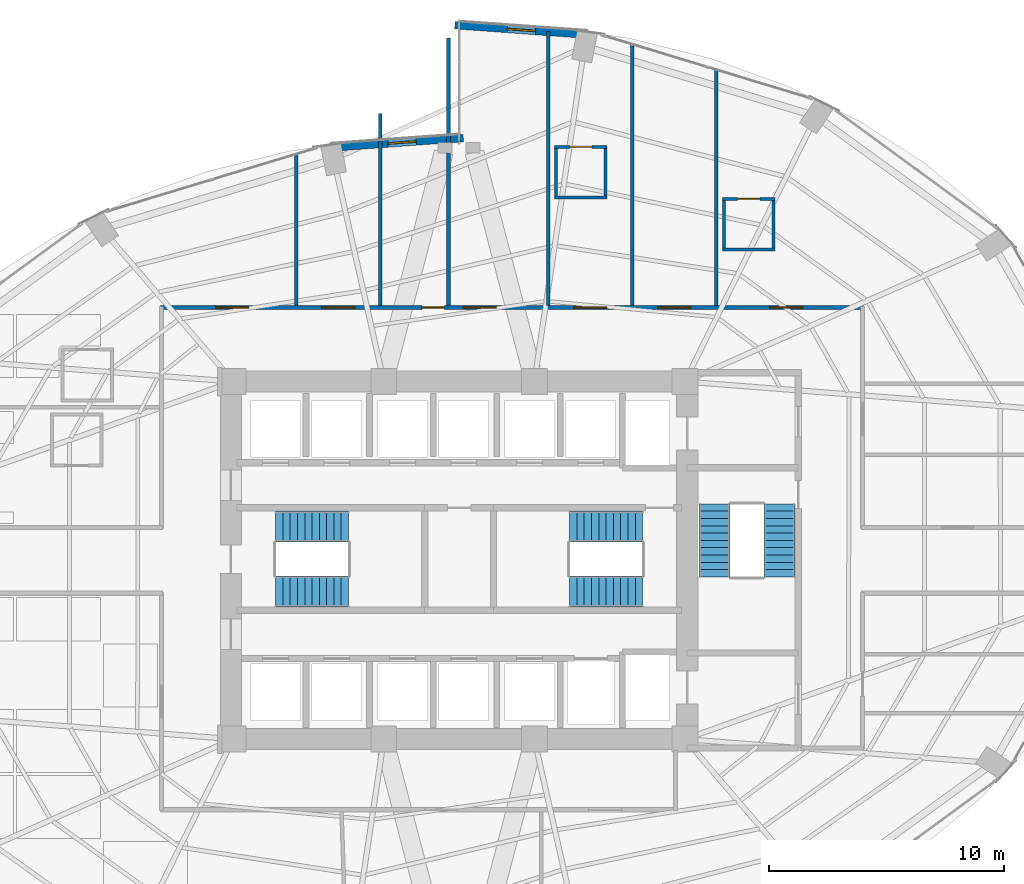
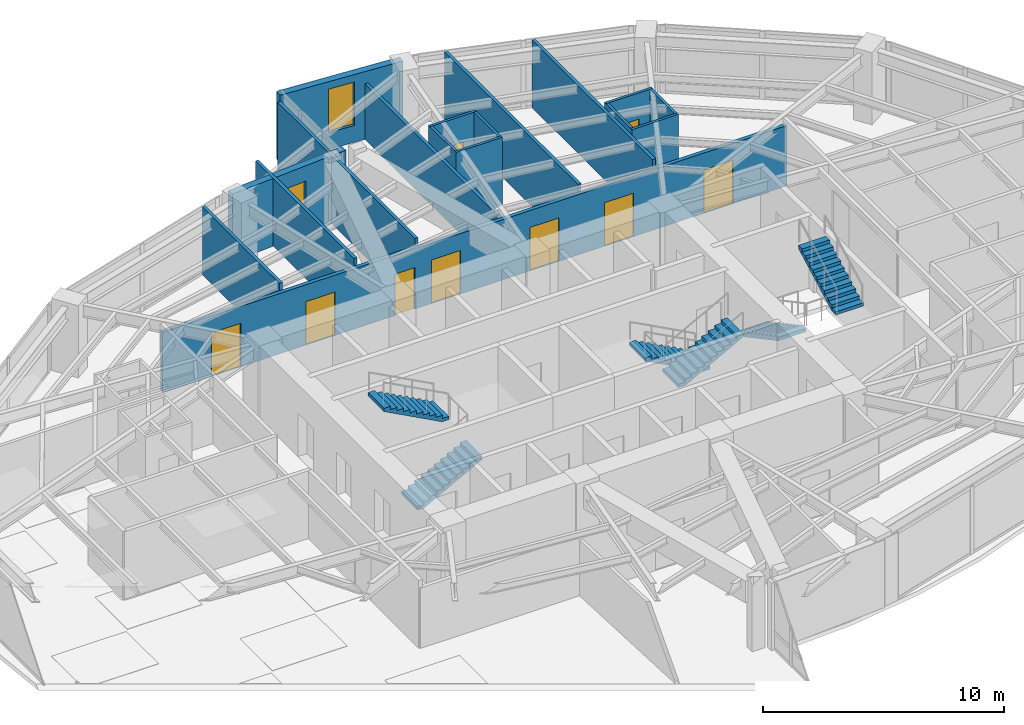
# One storey, part 23 of 25: 17 walls, 9 doors, 6 stair flights, 2 windows, 11 openings, 3 elements without a shape of their own.
"""IFC4 building model written with IfcOpenShell, lengths in metres."""

from ifc_helpers import new_model, si_unit, direction, frame, frame_2d, origin, place, context, subcontext, project, spatial, polyline, rectangle, outline, extrude, material, layer, layer_set, type_object, element, fill, aggregate, save


model = new_model("IFC4")

# Units and contexts
model_context = context("Model", 3, precision=1e-05, world=origin(), true_north=direction((0.0, 1.0)))
body_context = subcontext(model_context, "Body", "Model", "MODEL_VIEW")
ifc_project = project(units=[si_unit("LENGTHUNIT", "METRE"), si_unit("AREAUNIT", "SQUARE_METRE"), si_unit("VOLUMEUNIT", "CUBIC_METRE"), si_unit("PLANEANGLEUNIT", "RADIAN"), si_unit("MASSUNIT", "GRAM", prefix="KILO")], contexts=[model_context])

# Site, building, storey
site_placement = place(None, origin())
site = spatial("IfcSite", under=ifc_project, at=site_placement, CompositionType="ELEMENT")
building_placement = place(site_placement, origin())
building = spatial("IfcBuilding", under=site, at=building_placement, Name="Lazwardi Medical Tower", CompositionType="ELEMENT")
storey_placement = place(building_placement, frame((0.0, 0.0, 47.087890625)))
storey = spatial("IfcBuildingStorey", under=building, at=storey_placement, Name="L11", CompositionType="ELEMENT", Elevation=47.087890625)

# Wall, openings, doors
ifc_material_1 = material(Name="Fire-rated gypsum board on steel stud", Category="steel")
ifc_layer_1 = layer(ifc_material_1, 0.179931640625)
ifc_layer_set_1 = layer_set([ifc_layer_1], Name="Fire-rated gypsum board on steel stud")
wall_type_1 = type_object("IfcWallType", Name="WL-COR-180", PredefinedType="PARTITIONING", material=ifc_layer_set_1)
wall_1_placement = place(storey_placement, frame((23.31005859375, 38.75, 0.0), z_axis=(0.0, 0.0, 1.0), x_axis=(1.0, 0.0, 0.0)))
wall_1 = element("IfcWall", 1, at=wall_1_placement, inside=storey, type_object=wall_type_1, Name="L11 Corridor partition 4", PredefinedType="PARTITIONING", context=body_context, shape_type="SweptSolid", body=[
    extrude(rectangle(XDim=29.8798828125, YDim=0.179931640625, at=frame_2d((14.93994140625, 0.0))), origin(), (0.0, 0.0, 1.0), 3.05322265625),
])
opening_1_placement = place(wall_1_placement, frame((25.89111328125, 0.0, 0.0)))
opening_1 = element("IfcOpeningElement", 2, at=opening_1_placement, cuts=wall_1, Name="Opening D-L11-016", PredefinedType="OPENING", context=body_context, shape_type="SweptSolid", body=[
    extrude(rectangle(XDim=1.39990234375, YDim=2.199951171875, at=frame_2d((0.699951171875, 1.10009765625))), frame((0.0, 0.099853515625, 0.0), z_axis=(0.0, -1.0, 0.0), x_axis=(1.0, 0.0, 0.0)), (0.0, 0.0, 1.0), 0.199951171875),
])
opening_2_placement = place(wall_1_placement, frame((21.135009765625, 0.0, 0.0)))
opening_2 = element("IfcOpeningElement", 3, at=opening_2_placement, cuts=wall_1, Name="Opening D-L11-017", PredefinedType="OPENING", context=body_context, shape_type="SweptSolid", body=[
    extrude(rectangle(XDim=1.39990234375, YDim=2.199951171875, at=frame_2d((0.699951171875, 1.10009765625))), frame((0.0, 0.099853515625, 0.0), z_axis=(0.0, -1.0, 0.0), x_axis=(1.0, 0.0, 0.0)), (0.0, 0.0, 1.0), 0.199951171875),
])
opening_3_placement = place(wall_1_placement, frame((17.56494140625, 0.0, 0.0)))
opening_3 = element("IfcOpeningElement", 4, at=opening_3_placement, cuts=wall_1, Name="Opening D-L11-018", PredefinedType="OPENING", context=body_context, shape_type="SweptSolid", body=[
    extrude(rectangle(XDim=1.39990234375, YDim=2.199951171875, at=frame_2d((0.699951171875, 1.10009765625))), frame((0.0, 0.099853515625, 0.0), z_axis=(0.0, -1.0, 0.0), x_axis=(1.0, 0.0, 0.0)), (0.0, 0.0, 1.0), 0.199951171875),
])
opening_4_placement = place(wall_1_placement, frame((12.860107421875, 0.0, 0.0)))
opening_4 = element("IfcOpeningElement", 5, at=opening_4_placement, cuts=wall_1, Name="Opening D-L11-019", PredefinedType="OPENING", context=body_context, shape_type="SweptSolid", body=[
    extrude(rectangle(XDim=1.39990234375, YDim=2.199951171875, at=frame_2d((0.699951171875, 1.10009765625))), frame((0.0, 0.099853515625, 0.0), z_axis=(0.0, -1.0, 0.0), x_axis=(1.0, 0.0, 0.0)), (0.0, 0.0, 1.0), 0.199951171875),
])
opening_5_placement = place(wall_1_placement, frame((11.110107421875, 0.0, 0.0)))
opening_5 = element("IfcOpeningElement", 6, at=opening_5_placement, cuts=wall_1, Name="Opening D-L11-020", PredefinedType="OPENING", context=body_context, shape_type="SweptSolid", body=[
    extrude(rectangle(XDim=0.949951171875, YDim=2.10009765625, at=frame_2d((0.47509765625, 1.050048828125))), frame((0.0, 0.099853515625, 0.0), z_axis=(0.0, -1.0, 0.0), x_axis=(1.0, 0.0, 0.0)), (0.0, 0.0, 1.0), 0.199951171875),
])
opening_6_placement = place(wall_1_placement, frame((6.844970703125, 0.0, 0.0)))
opening_6 = element("IfcOpeningElement", 7, at=opening_6_placement, cuts=wall_1, Name="Opening D-L11-021", PredefinedType="OPENING", context=body_context, shape_type="SweptSolid", body=[
    extrude(rectangle(XDim=1.39990234375, YDim=2.199951171875, at=frame_2d((0.699951171875, 1.10009765625))), frame((0.0, 0.099853515625, 0.0), z_axis=(0.0, -1.0, 0.0), x_axis=(1.0, 0.0, 0.0)), (0.0, 0.0, 1.0), 0.199951171875),
])
opening_7_placement = place(wall_1_placement, frame((2.339111328125, 0.0, 0.0)))
opening_7 = element("IfcOpeningElement", 8, at=opening_7_placement, cuts=wall_1, Name="Opening D-L11-022", PredefinedType="OPENING", context=body_context, shape_type="SweptSolid", body=[
    extrude(rectangle(XDim=1.39990234375, YDim=2.199951171875, at=frame_2d((0.699951171875, 1.10009765625))), frame((0.0, 0.099853515625, 0.0), z_axis=(0.0, -1.0, 0.0), x_axis=(1.0, 0.0, 0.0)), (0.0, 0.0, 1.0), 0.199951171875),
])
ifc_material_2 = material(Name="Anti-microbial laminate hospital leaf")
door_type_1 = type_object("IfcDoorType", Name="DR-BED-1400", OperationType="NOTDEFINED", PredefinedType="DOOR", material=ifc_material_2)
door_1_placement = place(opening_1_placement, origin())
door_1 = element("IfcDoor", 9, at=door_1_placement, inside=storey, type_object=door_type_1, Name="L11 Inpatient Ward Door 07", OperationType="SINGLE_SWING_LEFT", OverallHeight=2.199951171875, OverallWidth=1.39990234375, PredefinedType="DOOR", context=body_context, shape_type="SweptSolid", body=[
    extrude(rectangle(XDim=1.39990234375, YDim=2.199951171875, at=frame_2d((0.699951171875, 1.10009765625))), frame((0.0, 0.02490234375, 0.0), z_axis=(0.0, -1.0, 0.0), x_axis=(1.0, 0.0, 0.0)), (0.0, 0.0, 1.0), 0.050048828125),
])
fill(opening_1, door_1)
door_2_placement = place(opening_2_placement, origin())
door_2 = element("IfcDoor", 10, at=door_2_placement, inside=storey, type_object=door_type_1, Name="L11 Inpatient Ward Door 08", OperationType="SINGLE_SWING_RIGHT", OverallHeight=2.199951171875, OverallWidth=1.39990234375, PredefinedType="DOOR", context=body_context, shape_type="SweptSolid", body=[
    extrude(rectangle(XDim=1.39990234375, YDim=2.199951171875, at=frame_2d((0.699951171875, 1.10009765625))), frame((0.0, 0.02490234375, 0.0), z_axis=(0.0, -1.0, 0.0), x_axis=(1.0, 0.0, 0.0)), (0.0, 0.0, 1.0), 0.050048828125),
])
fill(opening_2, door_2)
door_3_placement = place(opening_3_placement, origin())
door_3 = element("IfcDoor", 11, at=door_3_placement, inside=storey, type_object=door_type_1, Name="L11 Inpatient Ward Door 09", OperationType="SINGLE_SWING_RIGHT", OverallHeight=2.199951171875, OverallWidth=1.39990234375, PredefinedType="DOOR", context=body_context, shape_type="SweptSolid", body=[
    extrude(rectangle(XDim=1.39990234375, YDim=2.199951171875, at=frame_2d((0.699951171875, 1.10009765625))), frame((0.0, 0.02490234375, 0.0), z_axis=(0.0, -1.0, 0.0), x_axis=(1.0, 0.0, 0.0)), (0.0, 0.0, 1.0), 0.050048828125),
])
fill(opening_3, door_3)
door_4_placement = place(opening_4_placement, origin())
door_4 = element("IfcDoor", 12, at=door_4_placement, inside=storey, type_object=door_type_1, Name="L11 Inpatient Ward Door 10", OperationType="SINGLE_SWING_LEFT", OverallHeight=2.199951171875, OverallWidth=1.39990234375, PredefinedType="DOOR", context=body_context, shape_type="SweptSolid", body=[
    extrude(rectangle(XDim=1.39990234375, YDim=2.199951171875, at=frame_2d((0.699951171875, 1.10009765625))), frame((0.0, 0.02490234375, 0.0), z_axis=(0.0, -1.0, 0.0), x_axis=(1.0, 0.0, 0.0)), (0.0, 0.0, 1.0), 0.050048828125),
])
fill(opening_4, door_4)
door_5_placement = place(opening_6_placement, origin())
door_5 = element("IfcDoor", 13, at=door_5_placement, inside=storey, type_object=door_type_1, Name="L11 Inpatient Ward Door 12", OperationType="SINGLE_SWING_LEFT", OverallHeight=2.199951171875, OverallWidth=1.39990234375, PredefinedType="DOOR", context=body_context, shape_type="SweptSolid", body=[
    extrude(rectangle(XDim=1.39990234375, YDim=2.199951171875, at=frame_2d((0.699951171875, 1.10009765625))), frame((0.0, 0.02490234375, 0.0), z_axis=(0.0, -1.0, 0.0), x_axis=(1.0, 0.0, 0.0)), (0.0, 0.0, 1.0), 0.050048828125),
])
fill(opening_6, door_5)
door_6_placement = place(opening_7_placement, origin())
door_6 = element("IfcDoor", 14, at=door_6_placement, inside=storey, type_object=door_type_1, Name="L11 Inpatient Ward Door 13", OperationType="SINGLE_SWING_LEFT", OverallHeight=2.199951171875, OverallWidth=1.39990234375, PredefinedType="DOOR", context=body_context, shape_type="SweptSolid", body=[
    extrude(rectangle(XDim=1.39990234375, YDim=2.199951171875, at=frame_2d((0.699951171875, 1.10009765625))), frame((0.0, 0.02490234375, 0.0), z_axis=(0.0, -1.0, 0.0), x_axis=(1.0, 0.0, 0.0)), (0.0, 0.0, 1.0), 0.050048828125),
])
fill(opening_7, door_6)
ifc_material_3 = material(Name="Moisture-resistant laminate door leaf")
door_type_2 = type_object("IfcDoorType", Name="DR-ENS-950", OperationType="NOTDEFINED", PredefinedType="DOOR", material=ifc_material_3)
door_7_placement = place(opening_5_placement, origin())
door_7 = element("IfcDoor", 15, at=door_7_placement, inside=storey, type_object=door_type_2, Name="L11 Inpatient Ward Door 11", OperationType="SINGLE_SWING_RIGHT", OverallHeight=2.10009765625, OverallWidth=0.949951171875, PredefinedType="DOOR", context=body_context, shape_type="SweptSolid", body=[
    extrude(rectangle(XDim=0.949951171875, YDim=2.10009765625, at=frame_2d((0.47509765625, 1.050048828125))), frame((0.0, 0.02490234375, 0.0), z_axis=(0.0, -1.0, 0.0), x_axis=(1.0, 0.0, 0.0)), (0.0, 0.0, 1.0), 0.050048828125),
])
fill(opening_5, door_7)

# Wall, opening, door
ifc_material_4 = material(Name="Moisture-resistant gypsum board partition")
ifc_layer_2 = layer(ifc_material_4, 0.125)
ifc_layer_set_2 = layer_set([ifc_layer_2], Name="Moisture-resistant gypsum board partition")
wall_type_2 = type_object("IfcWallType", Name="WL-ENS-125", PredefinedType="PARTITIONING", material=ifc_layer_set_2)
wall_2_placement = place(storey_placement, frame((47.205078125, 43.369140625, 0.0), z_axis=(0.0, 0.0, 1.0), x_axis=(1.0, 0.0, 0.0)))
wall_2 = element("IfcWall", 16, at=wall_2_placement, inside=storey, type_object=wall_type_2, Name="L11 En-suite wall 7N", PredefinedType="PARTITIONING", context=body_context, shape_type="SweptSolid", body=[
    extrude(rectangle(XDim=2.219970703125, YDim=0.125, at=frame_2d((1.10986328125, 0.0))), origin(), (0.0, 0.0, 1.0), 3.42822265625),
])
opening_8_placement = place(wall_2_placement, frame((0.635009765625, 0.0, 0.0)))
opening_8 = element("IfcOpeningElement", 17, at=opening_8_placement, cuts=wall_2, Name="Opening D-L11-003", PredefinedType="OPENING", context=body_context, shape_type="SweptSolid", body=[
    extrude(rectangle(XDim=0.949951171875, YDim=2.10009765625, at=frame_2d((0.47509765625, 1.050048828125))), frame((0.0, 0.072509765625, 0.0), z_axis=(0.0, -1.0, 0.0), x_axis=(1.0, 0.0, 0.0)), (0.0, 0.0, 1.0), 0.14501953125),
])
door_8_placement = place(opening_8_placement, origin())
door_8 = element("IfcDoor", 18, at=door_8_placement, inside=storey, type_object=door_type_2, Name="L11 En-suite Door 07", OperationType="SINGLE_SWING_RIGHT", OverallHeight=2.10009765625, OverallWidth=0.949951171875, PredefinedType="DOOR", context=body_context, shape_type="SweptSolid", body=[
    extrude(rectangle(XDim=0.949951171875, YDim=2.10009765625, at=frame_2d((0.47509765625, 1.050048828125))), frame((0.0, 0.02490234375, 0.0), z_axis=(0.0, -1.0, 0.0), x_axis=(1.0, 0.0, 0.0)), (0.0, 0.0, 1.0), 0.050048828125),
])
fill(opening_8, door_8)

# Walls
wall_3_placement = place(storey_placement, frame((47.205078125, 41.208984375, 0.0), z_axis=(0.0, 0.0, 1.0), x_axis=(1.0, 0.0, 0.0)))
element("IfcWall", 19, at=wall_3_placement, inside=storey, type_object=wall_type_2, Name="L11 En-suite wall 7S", PredefinedType="PARTITIONING", context=body_context, shape_type="SweptSolid", body=[
    extrude(rectangle(XDim=2.219970703125, YDim=0.125, at=frame_2d((1.10986328125, 0.0))), origin(), (0.0, 0.0, 1.0), 3.42822265625),
])
for number, where, z_axis, x_axis, name in (
    (20, (49.364990234375, 41.149169921875, 0.0), (0.0, 0.0, 1.0), (0.0, 1.0, 0.0), "L11 En-suite wall 7E"),
    (21, (47.264892578125, 41.149169921875, 0.0), (0.0, 0.0, 1.0), (0.0, 1.0, 0.0), "L11 En-suite wall 7W"),
):
    element("IfcWall", number, at=place(storey_placement, frame(where, z_axis=z_axis, x_axis=x_axis)), inside=storey, type_object=wall_type_2, Name=name, PredefinedType="PARTITIONING", context=body_context, shape_type="SweptSolid", body=[
        extrude(rectangle(XDim=2.280029296875, YDim=0.125, at=frame_2d((1.14013671875, 0.0))), origin(), (0.0, 0.0, 1.0), 3.42822265625),
    ])

# Wall, opening, door
wall_4_placement = place(storey_placement, frame((40.06494140625, 45.5810546875, 0.0), z_axis=(0.0, 0.0, 1.0), x_axis=(1.0, 0.0, 0.0)))
wall_4 = element("IfcWall", 22, at=wall_4_placement, inside=storey, type_object=wall_type_2, Name="L11 En-suite wall 9N", PredefinedType="PARTITIONING", context=body_context, shape_type="SweptSolid", body=[
    extrude(rectangle(XDim=2.219970703125, YDim=0.125, at=frame_2d((1.10986328125, 0.0))), origin(), (0.0, 0.0, 1.0), 3.42822265625),
])
opening_9_placement = place(wall_4_placement, frame((0.635009765625, 0.0, 0.0)))
opening_9 = element("IfcOpeningElement", 23, at=opening_9_placement, cuts=wall_4, Name="Opening D-L11-004", PredefinedType="OPENING", context=body_context, shape_type="SweptSolid", body=[
    extrude(rectangle(XDim=0.949951171875, YDim=2.10009765625, at=frame_2d((0.47509765625, 1.050048828125))), frame((0.0, 0.072509765625, 0.0), z_axis=(0.0, -1.0, 0.0), x_axis=(1.0, 0.0, 0.0)), (0.0, 0.0, 1.0), 0.14501953125),
])
door_9_placement = place(opening_9_placement, origin())
door_9 = element("IfcDoor", 24, at=door_9_placement, inside=storey, type_object=door_type_2, Name="L11 En-suite Door 09", OperationType="SINGLE_SWING_LEFT", OverallHeight=2.10009765625, OverallWidth=0.949951171875, PredefinedType="DOOR", context=body_context, shape_type="SweptSolid", body=[
    extrude(rectangle(XDim=0.949951171875, YDim=2.10009765625, at=frame_2d((0.47509765625, 1.050048828125))), frame((0.0, 0.02490234375, 0.0), z_axis=(0.0, -1.0, 0.0), x_axis=(1.0, 0.0, 0.0)), (0.0, 0.0, 1.0), 0.050048828125),
])
fill(opening_9, door_9)

# Walls
wall_5_placement = place(storey_placement, frame((40.06494140625, 43.4208984375, 0.0), z_axis=(0.0, 0.0, 1.0), x_axis=(1.0, 0.0, 0.0)))
element("IfcWall", 25, at=wall_5_placement, inside=storey, type_object=wall_type_2, Name="L11 En-suite wall 9S", PredefinedType="PARTITIONING", context=body_context, shape_type="SweptSolid", body=[
    extrude(rectangle(XDim=2.219970703125, YDim=0.125, at=frame_2d((1.10986328125, 0.0))), origin(), (0.0, 0.0, 1.0), 3.42822265625),
])
for number, where, z_axis, x_axis, name in (
    (26, (42.22509765625, 43.361083984375, 0.0), (0.0, 0.0, 1.0), (0.0, 1.0, 0.0), "L11 En-suite wall 9E"),
    (27, (40.125, 43.361083984375, 0.0), (0.0, 0.0, 1.0), (0.0, 1.0, 0.0), "L11 En-suite wall 9W"),
):
    element("IfcWall", number, at=place(storey_placement, frame(where, z_axis=z_axis, x_axis=x_axis)), inside=storey, type_object=wall_type_2, Name=name, PredefinedType="PARTITIONING", context=body_context, shape_type="SweptSolid", body=[
        extrude(rectangle(XDim=2.280029296875, YDim=0.125, at=frame_2d((1.14013671875, 0.0))), origin(), (0.0, 0.0, 1.0), 3.42822265625),
    ])

# Wall, opening, window
ifc_material_5 = material(Name="Precast concrete C45/55", Category="concrete")
ifc_layer_3 = layer(ifc_material_5, 0.320068359375)
ifc_layer_set_3 = layer_set([ifc_layer_3], Name="Precast concrete C45/55")
wall_type_3 = type_object("IfcWallType", Name="WL-IWAN-320", PredefinedType="SOLIDWALL", material=ifc_layer_set_3)
wall_6_placement = place(storey_placement, frame((41.481201171875, 50.345703125, 0.0), z_axis=(0.0, 0.0, 1.0), x_axis=(-0.997422321809, 0.071754525696, 0.0)))
wall_6 = element("IfcWall", 28, at=wall_6_placement, inside=storey, type_object=wall_type_3, Name="L11 Iwan Portal Return Wall NE_ret", PredefinedType="SOLIDWALL", context=body_context, shape_type="SweptSolid", body=[
    extrude(rectangle(XDim=5.67529296875, YDim=0.320068359375, at=frame_2d((2.837646484375, 0.0))), origin(), (0.0, 0.0, 1.0), 3.42822265625),
])
opening_10_placement = place(wall_6_placement, frame((2.23779296875, 0.0, 0.85009765625)))
opening_10 = element("IfcOpeningElement", 29, at=opening_10_placement, cuts=wall_6, Name="Opening WN-01", PredefinedType="OPENING", context=body_context, shape_type="SweptSolid", body=[
    extrude(rectangle(XDim=1.199951171875, YDim=2.199951171875, at=frame_2d((0.60009765625, 1.10009765625))), frame((0.0, 0.169921875, 0.0), z_axis=(0.0, -1.0, 0.0), x_axis=(1.0, 0.0, 0.0)), (0.0, 0.0, 1.0), 0.340087890625),
])
ifc_material_6 = material(Name="Low-e bronze solar control double glazing", Category="glass")
window_type_1 = type_object("IfcWindowType", Name="WIN-IW-1200", PartitioningType="SINGLE_PANEL", PredefinedType="WINDOW", material=ifc_material_6)
window_1_placement = place(opening_10_placement, origin())
window_1 = element("IfcWindow", 30, at=window_1_placement, inside=storey, type_object=window_type_1, Name="L11 Iwan Slot Window NE_ret", OverallHeight=2.199951171875, OverallWidth=1.199951171875, PartitioningType="SINGLE_PANEL", PredefinedType="WINDOW", context=body_context, shape_type="SweptSolid", body=[
    extrude(rectangle(XDim=1.199951171875, YDim=2.199951171875, at=frame_2d((0.60009765625, 1.10009765625))), frame((0.0, 0.030029296875, 0.0), z_axis=(0.0, -1.0, 0.0), x_axis=(1.0, 0.0, 0.0)), (0.0, 0.0, 1.0), 0.06005859375),
])
fill(opening_10, window_1)

wall_7_placement = place(storey_placement, frame((36.178955078125, 45.952880859375, 0.0), z_axis=(0.0, 0.0, 1.0), x_axis=(-0.997421878774, -0.071760683825, 0.0)))
wall_7 = element("IfcWall", 31, at=wall_7_placement, inside=storey, type_object=wall_type_3, Name="L11 Iwan Portal Return Wall NW_ret", PredefinedType="SOLIDWALL", context=body_context, shape_type="SweptSolid", body=[
    extrude(rectangle(XDim=5.6748046875, YDim=0.320068359375, at=frame_2d((2.83740234375, 0.0))), origin(), (0.0, 0.0, 1.0), 3.42822265625),
])
opening_11_placement = place(wall_7_placement, frame((2.007080078125, 0.0, 0.85009765625)))
opening_11 = element("IfcOpeningElement", 32, at=opening_11_placement, cuts=wall_7, Name="Opening WN-04", PredefinedType="OPENING", context=body_context, shape_type="SweptSolid", body=[
    extrude(rectangle(XDim=1.199951171875, YDim=1.800048828125, at=frame_2d((0.60009765625, 0.89990234375))), frame((0.0, 0.169921875, 0.0), z_axis=(0.0, -1.0, 0.0), x_axis=(1.0, 0.0, 0.0)), (0.0, 0.0, 1.0), 0.340087890625),
])
window_type_2 = type_object("IfcWindowType", Name="WIN-DRUM-1200", PartitioningType="SINGLE_PANEL", PredefinedType="WINDOW", material=ifc_material_6)
window_2_placement = place(opening_11_placement, origin())
window_2 = element("IfcWindow", 33, at=window_2_placement, inside=storey, type_object=window_type_2, Name="L11 Iwan Slot Window NW_ret", OverallHeight=1.800048828125, OverallWidth=1.199951171875, PartitioningType="SINGLE_PANEL", PredefinedType="WINDOW", context=body_context, shape_type="SweptSolid", body=[
    extrude(rectangle(XDim=1.199951171875, YDim=1.800048828125, at=frame_2d((0.60009765625, 0.89990234375))), frame((0.0, 0.030029296875, 0.0), z_axis=(0.0, -1.0, 0.0), x_axis=(1.0, 0.0, 0.0)), (0.0, 0.0, 1.0), 0.06005859375),
])
fill(opening_11, window_2)

# Walls
ifc_material_7 = material(Name="Acoustic gypsum board partition")
ifc_layer_4 = layer(ifc_material_7, 0.14990234375)
ifc_layer_set_4 = layer_set([ifc_layer_4], Name="Acoustic gypsum board partition")
wall_type_4 = type_object("IfcWallType", Name="WL-WRD-150", PredefinedType="PARTITIONING", material=ifc_layer_set_4)
wall_8_placement = place(storey_placement, frame((29.070068359375, 38.840087890625, 0.0), z_axis=(0.0, 0.0, 1.0), x_axis=(0.0, 1.0, 0.0)))
element("IfcWall", 34, at=wall_8_placement, inside=storey, type_object=wall_type_4, Name="L11 Room partition 6", PredefinedType="PARTITIONING", context=body_context, shape_type="SweptSolid", body=[
    extrude(rectangle(XDim=6.414306640625, YDim=0.14990234375, at=frame_2d((3.20703125, 0.0))), origin(), (0.0, 0.0, 1.0), 3.42822265625),
])
wall_9_placement = place(storey_placement, frame((32.639892578125, 38.840087890625, 0.0), z_axis=(0.0, 0.0, 1.0), x_axis=(0.0, 1.0, 0.0)))
element("IfcWall", 35, at=wall_9_placement, inside=storey, type_object=wall_type_4, Name="L11 Room partition 7", PredefinedType="PARTITIONING", context=body_context, shape_type="SweptSolid", body=[
    extrude(rectangle(XDim=8.15087890625, YDim=0.14990234375, at=frame_2d((4.075439453125, 0.0))), origin(), (0.0, 0.0, 1.0), 3.42822265625),
])
wall_10_placement = place(storey_placement, frame((35.550048828125, 38.840087890625, 0.0), z_axis=(0.0, 0.0, 1.0), x_axis=(0.0, 1.0, 0.0)))
element("IfcWall", 36, at=wall_10_placement, inside=storey, type_object=wall_type_4, Name="L11 Room partition 8", PredefinedType="PARTITIONING", context=body_context, shape_type="SweptSolid", body=[
    extrude(rectangle(XDim=11.367431640625, YDim=0.14990234375, at=frame_2d((5.68359375, 0.0))), origin(), (0.0, 0.0, 1.0), 3.42822265625),
])
wall_11_placement = place(storey_placement, frame((39.7900390625, 38.840087890625, 0.0), z_axis=(0.0, 0.0, 1.0), x_axis=(0.0, 1.0, 0.0)))
element("IfcWall", 37, at=wall_11_placement, inside=storey, type_object=wall_type_4, Name="L11 Room partition 9", PredefinedType="PARTITIONING", context=body_context, shape_type="SweptSolid", body=[
    extrude(rectangle(XDim=11.634765625, YDim=0.14990234375, at=frame_2d((5.8173828125, 0.0))), origin(), (0.0, 0.0, 1.0), 2.81298828125),
])
wall_12_placement = place(storey_placement, frame((43.360107421875, 38.840087890625, 0.0), z_axis=(0.0, 0.0, 1.0), x_axis=(0.0, 1.0, 0.0)))
element("IfcWall", 38, at=wall_12_placement, inside=storey, type_object=wall_type_4, Name="L11 Room partition 10", PredefinedType="PARTITIONING", context=body_context, shape_type="SweptSolid", body=[
    extrude(rectangle(XDim=11.084228515625, YDim=0.14990234375, at=frame_2d((5.5419921875, 0.0))), origin(), (0.0, 0.0, 1.0), 3.42822265625),
])
wall_13_placement = place(storey_placement, frame((46.929931640625, 38.840087890625, 0.0), z_axis=(0.0, 0.0, 1.0), x_axis=(0.0, 1.0, 0.0)))
element("IfcWall", 39, at=wall_13_placement, inside=storey, type_object=wall_type_4, Name="L11 Room partition 11", PredefinedType="PARTITIONING", context=body_context, shape_type="SweptSolid", body=[
    extrude(rectangle(XDim=10.0029296875, YDim=0.14990234375, at=frame_2d((5.00146484375, 0.0))), origin(), (0.0, 0.0, 1.0), 3.42822265625),
])

# Stair, stair flights
ifc_material_8 = material(Name="Concrete C45/55", Category="concrete")
stair_type = type_object("IfcStairType", Name="STR-WRD", PredefinedType="HALF_TURN_STAIR", material=ifc_material_8)
stair_1_placement = place(storey_placement, origin())
stair_1 = element("IfcStair", 40, at=stair_1_placement, inside=storey, type_object=stair_type, Name="L11 Protected Exit Stair ST1", PredefinedType="HALF_TURN_STAIR")
stair_flight_type = type_object("IfcStairFlightType", Name="FLT-WRD", PredefinedType="STRAIGHT", material=ifc_material_8)
stair_flight_1_placement = place(storey_placement, frame((28.199951171875, 26.679931640625, 0.0), z_axis=(0.0, 0.0, 1.0), x_axis=(1.0, 0.0, 0.0)))
stair_flight_1 = element("IfcStairFlight", 41, at=stair_flight_1_placement, type_object=stair_flight_type, Name="ST1 flight 1", NumberOfRisers=11, NumberOfTreads=10, PredefinedType="STRAIGHT", RiserHeight=0.165818182, TreadLength=0.31, context=body_context, shape_type="SweptSolid", body=[
    extrude(outline(polyline([(0.0, 0.0), (0.0, 0.165771484375), (0.31005859375, 0.165771484375), (0.31005859375, 0.33154296875), (0.6201171875, 0.33154296875), (0.6201171875, 0.49755859375), (0.929931640625, 0.49755859375), (0.929931640625, 0.663330078125), (1.239990234375, 0.663330078125), (1.239990234375, 0.8291015625), (1.550048828125, 0.8291015625), (1.550048828125, 0.994873046875), (1.860107421875, 0.994873046875), (1.860107421875, 1.16064453125), (2.169921875, 1.16064453125), (2.169921875, 1.32666015625), (2.47998046875, 1.32666015625), (2.47998046875, 1.492431640625), (2.7900390625, 1.492431640625), (2.7900390625, 1.658203125), (3.10009765625, 1.658203125), (3.10009765625, 1.823974609375), (3.10009765625, 1.48828125), (0.31787109375, 0.0), (0.0, 0.0)])), frame((0.0, 0.66015625, 0.0), z_axis=(0.0, -1.0, 0.0), x_axis=(1.0, 0.0, 0.0)), (0.0, 0.0, 1.0), 1.320068359375),
])
stair_flight_2_placement = place(storey_placement, frame((31.300048828125, 29.43994140625, 1.82421875), z_axis=(0.0, 0.0, 1.0), x_axis=(-1.0, 0.0, 0.0)))
stair_flight_2 = element("IfcStairFlight", 42, at=stair_flight_2_placement, type_object=stair_flight_type, Name="ST1 flight 2", NumberOfRisers=11, NumberOfTreads=10, PredefinedType="STRAIGHT", RiserHeight=0.165818182, TreadLength=0.31, context=body_context, shape_type="SweptSolid", body=[
    extrude(outline(polyline([(0.0, 0.0), (0.0, 0.165771484375), (0.31005859375, 0.165771484375), (0.31005859375, 0.33154296875), (0.6201171875, 0.33154296875), (0.6201171875, 0.49755859375), (0.929931640625, 0.49755859375), (0.929931640625, 0.663330078125), (1.239990234375, 0.663330078125), (1.239990234375, 0.8291015625), (1.550048828125, 0.8291015625), (1.550048828125, 0.994873046875), (1.860107421875, 0.994873046875), (1.860107421875, 1.16064453125), (2.169921875, 1.16064453125), (2.169921875, 1.32666015625), (2.47998046875, 1.32666015625), (2.47998046875, 1.492431640625), (2.7900390625, 1.492431640625), (2.7900390625, 1.658203125), (3.10009765625, 1.658203125), (3.10009765625, 1.823974609375), (3.10009765625, 1.48828125), (0.31787109375, 0.0), (0.0, 0.0)])), frame((0.0, 0.66015625, 0.0), z_axis=(0.0, -1.0, 0.0), x_axis=(1.0, 0.0, 0.0)), (0.0, 0.0, 1.0), 1.320068359375),
])
aggregate(stair_1, [stair_flight_1, stair_flight_2])

stair_2_placement = place(storey_placement, origin())
stair_2 = element("IfcStair", 43, at=stair_2_placement, inside=storey, type_object=stair_type, Name="L11 Protected Exit Stair ST2", PredefinedType="HALF_TURN_STAIR")
stair_flight_3_placement = place(storey_placement, frame((43.800048828125, 29.43994140625, 0.0), z_axis=(0.0, 0.0, 1.0), x_axis=(-1.0, 0.0, 0.0)))
stair_flight_3 = element("IfcStairFlight", 44, at=stair_flight_3_placement, type_object=stair_flight_type, Name="ST2 flight 1", NumberOfRisers=11, NumberOfTreads=10, PredefinedType="STRAIGHT", RiserHeight=0.165818182, TreadLength=0.31, context=body_context, shape_type="SweptSolid", body=[
    extrude(outline(polyline([(0.0, 0.0), (0.0, 0.165771484375), (0.31005859375, 0.165771484375), (0.31005859375, 0.33154296875), (0.6201171875, 0.33154296875), (0.6201171875, 0.49755859375), (0.929931640625, 0.49755859375), (0.929931640625, 0.663330078125), (1.239990234375, 0.663330078125), (1.239990234375, 0.8291015625), (1.550048828125, 0.8291015625), (1.550048828125, 0.994873046875), (1.860107421875, 0.994873046875), (1.860107421875, 1.16064453125), (2.169921875, 1.16064453125), (2.169921875, 1.32666015625), (2.47998046875, 1.32666015625), (2.47998046875, 1.492431640625), (2.7900390625, 1.492431640625), (2.7900390625, 1.658203125), (3.10009765625, 1.658203125), (3.10009765625, 1.823974609375), (3.10009765625, 1.48828125), (0.31787109375, 0.0), (0.0, 0.0)])), frame((0.0, 0.66015625, 0.0), z_axis=(0.0, -1.0, 0.0), x_axis=(1.0, 0.0, 0.0)), (0.0, 0.0, 1.0), 1.320068359375),
])
stair_flight_4_placement = place(storey_placement, frame((40.699951171875, 26.679931640625, 1.82421875), z_axis=(0.0, 0.0, 1.0), x_axis=(1.0, 0.0, 0.0)))
stair_flight_4 = element("IfcStairFlight", 45, at=stair_flight_4_placement, type_object=stair_flight_type, Name="ST2 flight 2", NumberOfRisers=11, NumberOfTreads=10, PredefinedType="STRAIGHT", RiserHeight=0.165818182, TreadLength=0.31, context=body_context, shape_type="SweptSolid", body=[
    extrude(outline(polyline([(0.0, 0.0), (0.0, 0.165771484375), (0.31005859375, 0.165771484375), (0.31005859375, 0.33154296875), (0.6201171875, 0.33154296875), (0.6201171875, 0.49755859375), (0.929931640625, 0.49755859375), (0.929931640625, 0.663330078125), (1.239990234375, 0.663330078125), (1.239990234375, 0.8291015625), (1.550048828125, 0.8291015625), (1.550048828125, 0.994873046875), (1.860107421875, 0.994873046875), (1.860107421875, 1.16064453125), (2.169921875, 1.16064453125), (2.169921875, 1.32666015625), (2.47998046875, 1.32666015625), (2.47998046875, 1.492431640625), (2.7900390625, 1.492431640625), (2.7900390625, 1.658203125), (3.10009765625, 1.658203125), (3.10009765625, 1.823974609375), (3.10009765625, 1.48828125), (0.31787109375, 0.0), (0.0, 0.0)])), frame((0.0, 0.66015625, 0.0), z_axis=(0.0, -1.0, 0.0), x_axis=(1.0, 0.0, 0.0)), (0.0, 0.0, 1.0), 1.320068359375),
])
aggregate(stair_2, [stair_flight_3, stair_flight_4])

stair_3_placement = place(storey_placement, origin())
stair_3 = element("IfcStair", 46, at=stair_3_placement, inside=storey, type_object=stair_type, Name="L11 Protected Exit Stair ST3", PredefinedType="HALF_TURN_STAIR")
stair_flight_5_placement = place(storey_placement, frame((46.860107421875, 30.39990234375, 0.0), z_axis=(0.0, 0.0, 1.0), x_axis=(0.0, -1.0, 0.0)))
stair_flight_5 = element("IfcStairFlight", 47, at=stair_flight_5_placement, type_object=stair_flight_type, Name="ST3 flight 1", NumberOfRisers=11, NumberOfTreads=10, PredefinedType="STRAIGHT", RiserHeight=0.165818182, TreadLength=0.31, context=body_context, shape_type="SweptSolid", body=[
    extrude(outline(polyline([(0.0, 0.0), (0.0, 0.165771484375), (0.31005859375, 0.165771484375), (0.31005859375, 0.33154296875), (0.6201171875, 0.33154296875), (0.6201171875, 0.49755859375), (0.929931640625, 0.49755859375), (0.929931640625, 0.663330078125), (1.239990234375, 0.663330078125), (1.239990234375, 0.8291015625), (1.550048828125, 0.8291015625), (1.550048828125, 0.994873046875), (1.860107421875, 0.994873046875), (1.860107421875, 1.16064453125), (2.169921875, 1.16064453125), (2.169921875, 1.32666015625), (2.47998046875, 1.32666015625), (2.47998046875, 1.492431640625), (2.7900390625, 1.492431640625), (2.7900390625, 1.658203125), (3.10009765625, 1.658203125), (3.10009765625, 1.823974609375), (3.10009765625, 1.48828125), (0.31787109375, 0.0), (0.0, 0.0)])), frame((0.0, 0.66015625, 0.0), z_axis=(0.0, -1.0, 0.0), x_axis=(1.0, 0.0, 0.0)), (0.0, 0.0, 1.0), 1.320068359375),
])
stair_flight_6_placement = place(storey_placement, frame((49.6201171875, 27.300048828125, 1.82421875), z_axis=(0.0, 0.0, 1.0), x_axis=(0.0, 1.0, 0.0)))
stair_flight_6 = element("IfcStairFlight", 48, at=stair_flight_6_placement, type_object=stair_flight_type, Name="ST3 flight 2", NumberOfRisers=11, NumberOfTreads=10, PredefinedType="STRAIGHT", RiserHeight=0.165818182, TreadLength=0.31, context=body_context, shape_type="SweptSolid", body=[
    extrude(outline(polyline([(0.0, 0.0), (0.0, 0.165771484375), (0.31005859375, 0.165771484375), (0.31005859375, 0.33154296875), (0.6201171875, 0.33154296875), (0.6201171875, 0.49755859375), (0.929931640625, 0.49755859375), (0.929931640625, 0.663330078125), (1.239990234375, 0.663330078125), (1.239990234375, 0.8291015625), (1.550048828125, 0.8291015625), (1.550048828125, 0.994873046875), (1.860107421875, 0.994873046875), (1.860107421875, 1.16064453125), (2.169921875, 1.16064453125), (2.169921875, 1.32666015625), (2.47998046875, 1.32666015625), (2.47998046875, 1.492431640625), (2.7900390625, 1.492431640625), (2.7900390625, 1.658203125), (3.10009765625, 1.658203125), (3.10009765625, 1.823974609375), (3.10009765625, 1.48828125), (0.31787109375, 0.0), (0.0, 0.0)])), frame((0.0, 0.66015625, 0.0), z_axis=(0.0, -1.0, 0.0), x_axis=(1.0, 0.0, 0.0)), (0.0, 0.0, 1.0), 1.320068359375),
])
aggregate(stair_3, [stair_flight_5, stair_flight_6])

save(model, "model.ifc")
